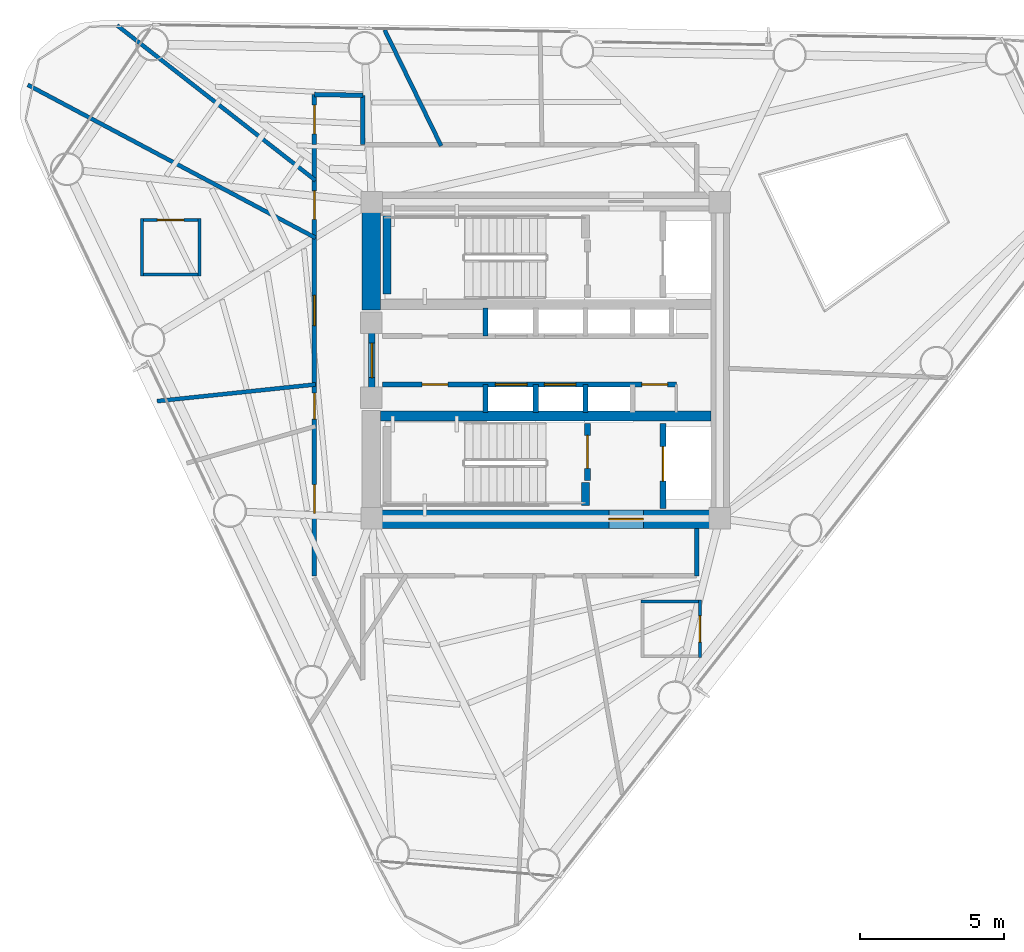
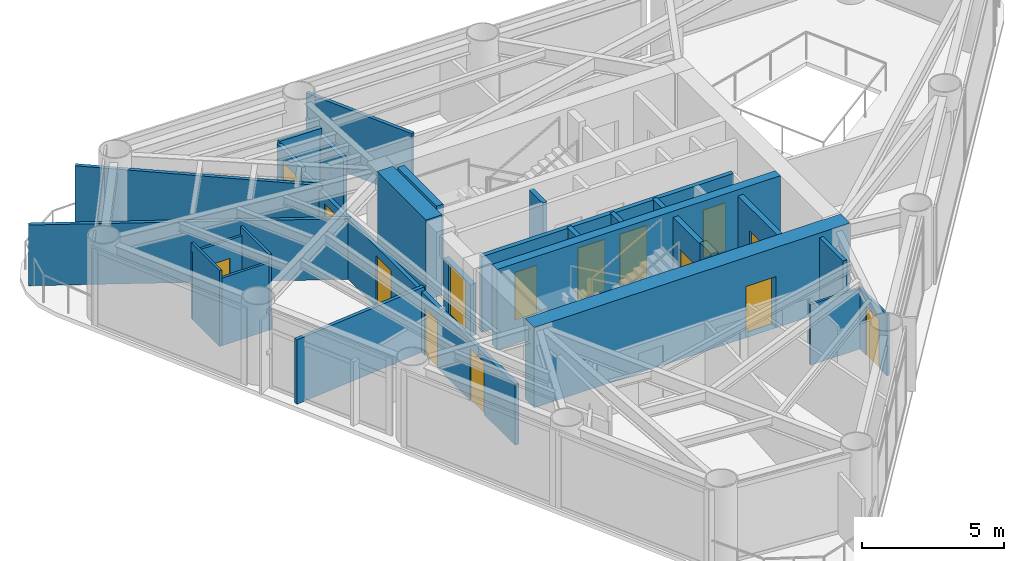
# One storey, part 5 of 9: 28 walls, 15 doors, 15 openings.
"""IFC4 building model written with IfcOpenShell, lengths in metres."""

from ifc_helpers import new_model, si_unit, direction, frame, frame_2d, origin, place, context, subcontext, project, spatial, rectangle, extrude, material, layer, layer_set, type_object, element, fill, save


model = new_model("IFC4")

# Units and contexts
model_context = context("Model", 3, precision=1e-05, world=origin(), true_north=direction((0.0, 1.0)))
body_context = subcontext(model_context, "Body", "Model", "MODEL_VIEW")
ifc_project = project(units=[si_unit("LENGTHUNIT", "METRE"), si_unit("AREAUNIT", "SQUARE_METRE"), si_unit("VOLUMEUNIT", "CUBIC_METRE"), si_unit("PLANEANGLEUNIT", "RADIAN"), si_unit("MASSUNIT", "GRAM", prefix="KILO")], contexts=[model_context])

# Site, building, storey
site_placement = place(None, origin())
site = spatial("IfcSite", under=ifc_project, at=site_placement, CompositionType="ELEMENT")
building_placement = place(site_placement, origin())
building = spatial("IfcBuilding", under=site, at=building_placement, Name="Yunling Apex Tower", CompositionType="ELEMENT")
storey_placement = place(building_placement, frame((0.0, 0.0, 194.89990234375)))
storey = spatial("IfcBuildingStorey", under=building, at=storey_placement, Name="L47", CompositionType="ELEMENT", Elevation=194.89990234375)

# Wall, opening, door
ifc_material_1 = material(Name="Concrete C50", Category="concrete")
ifc_layer_1 = layer(ifc_material_1, 0.64990234375)
ifc_layer_set_1 = layer_set([ifc_layer_1], Name="Concrete C50")
wall_type_1 = type_object("IfcWallType", Name="WL-COR-2", PredefinedType="SHEAR", material=ifc_layer_set_1)
wall_1_placement = place(storey_placement, frame((-6.39990234375, -5.52490234375, 0.0), z_axis=(0.0, 0.0, 1.0), x_axis=(1.0, 0.0, 0.0)))
wall_1 = element("IfcWall", 1, at=wall_1_placement, inside=storey, type_object=wall_type_1, Name="L47 South Core Shear Wall", PredefinedType="SHEAR", context=body_context, shape_type="SweptSolid", body=[
    extrude(rectangle(XDim=12.7998046875, YDim=0.64990234375, at=frame_2d((6.39990234375, 0.0))), origin(), (0.0, 0.0, 1.0), 3.4501953125),
])
opening_1_placement = place(wall_1_placement, frame((8.60009765625, 0.0, 0.0)))
opening_1 = element("IfcOpeningElement", 2, at=opening_1_placement, cuts=wall_1, Name="Opening DR-FFL-1", PredefinedType="OPENING", context=body_context, shape_type="SweptSolid", body=[
    extrude(rectangle(XDim=1.199951171875, YDim=2.199951171875, at=frame_2d((0.60009765625, 1.10009765625))), frame((0.0, 0.3349609375, 0.0), z_axis=(0.0, -1.0, 0.0), x_axis=(1.0, 0.0, 0.0)), (0.0, 0.0, 1.0), 0.669921875),
])
ifc_material_2 = material(Name="Steel Q355B", Category="steel")
door_type_1 = type_object("IfcDoorType", Name="DR-FFL-1", OperationType="NOTDEFINED", PredefinedType="DOOR", material=ifc_material_2)
door_1_placement = place(opening_1_placement, origin())
door_1 = element("IfcDoor", 3, at=door_1_placement, inside=storey, type_object=door_type_1, Name="L47 South Firefighting Lobby Door", OperationType="SINGLE_SWING_RIGHT", OverallHeight=2.199951171875, OverallWidth=1.199951171875, PredefinedType="DOOR", context=body_context, shape_type="SweptSolid", body=[
    extrude(rectangle(XDim=1.199951171875, YDim=2.199951171875, at=frame_2d((0.60009765625, 1.10009765625))), frame((0.0, 0.02490234375, 0.0), z_axis=(0.0, -1.0, 0.0), x_axis=(1.0, 0.0, 0.0)), (0.0, 0.0, 1.0), 0.050048828125),
])
fill(opening_1, door_1)

# Walls
wall_2_placement = place(storey_placement, frame((-6.074951171875, 1.75, 0.0), z_axis=(0.0, 0.0, 1.0), x_axis=(0.0, 1.0, 0.0)))
element("IfcWall", 4, at=wall_2_placement, inside=storey, type_object=wall_type_1, Name="L47 West-North Core Shear Wall", PredefinedType="SHEAR", context=body_context, shape_type="SweptSolid", body=[
    extrude(rectangle(XDim=3.449951171875, YDim=0.64990234375, at=frame_2d((1.72509765625, 0.0))), origin(), (0.0, 0.0, 1.0), 3.4501953125),
])
ifc_material_3 = material(Name="Concrete C40", Category="concrete")
ifc_layer_2 = layer(ifc_material_3, 0.360107421875)
ifc_layer_set_2 = layer_set([ifc_layer_2], Name="Concrete C40")
wall_type_2 = type_object("IfcWallType", Name="WL-COR-4", PredefinedType="SHEAR", material=ifc_layer_set_2)
wall_3_placement = place(storey_placement, frame((-5.75, -1.93994140625, 0.0), z_axis=(0.0, 0.0, 1.0), x_axis=(1.0, 0.0, 0.0)))
element("IfcWall", 5, at=wall_3_placement, inside=storey, type_object=wall_type_2, Name="L47 South Internal Core Shear Wall", PredefinedType="SHEAR", context=body_context, shape_type="SweptSolid", body=[
    extrude(rectangle(XDim=11.5, YDim=0.360107421875, at=frame_2d((5.75, 0.0))), origin(), (0.0, 0.0, 1.0), 3.4501953125),
])
ifc_layer_3 = layer(ifc_material_3, 0.280029296875)
ifc_layer_set_3 = layer_set([ifc_layer_3], Name="Concrete C40")
wall_type_3 = type_object("IfcWallType", Name="WL-COR-8", PredefinedType="SHEAR", material=ifc_layer_set_3)
wall_4_placement = place(storey_placement, frame((-5.52001953125, 2.300048828125, 0.0), z_axis=(0.0, 0.0, 1.0), x_axis=(0.0, 1.0, 0.0)))
element("IfcWall", 6, at=wall_4_placement, inside=storey, type_object=wall_type_3, Name="L47 ST-1 West Landing Bearing Wall", PredefinedType="SHEAR", context=body_context, shape_type="SweptSolid", body=[
    extrude(rectangle(XDim=2.75, YDim=0.280029296875, at=frame_2d((1.375, 0.0))), origin(), (0.0, 0.0, 1.0), 3.4501953125),
])
wall_5_placement = place(storey_placement, frame((1.3798828125, -5.050048828125, 0.0), z_axis=(0.0, 0.0, 1.0), x_axis=(0.0, 1.0, 0.0)))
element("IfcWall", 7, at=wall_5_placement, inside=storey, type_object=wall_type_3, Name="L47 ST-2 East Landing Bearing Pier", PredefinedType="SHEAR", context=body_context, shape_type="SweptSolid", body=[
    extrude(rectangle(XDim=0.800048828125, YDim=0.280029296875, at=frame_2d((0.39990234375, 0.0))), origin(), (0.0, 0.0, 1.0), 3.4501953125),
])

# Wall, openings, doors
ifc_material_4 = material(Name="Gypsum board acoustic partition")
ifc_layer_4 = layer(ifc_material_4, 0.159912109375)
ifc_layer_set_4 = layer_set([ifc_layer_4], Name="Gypsum board acoustic partition")
wall_type_4 = type_object("IfcWallType", Name="WL-PRT-1", PredefinedType="PARTITIONING", material=ifc_layer_set_4)
wall_6_placement = place(storey_placement, frame((-8.050048828125, -7.5, 0.0), z_axis=(0.0, 0.0, 1.0), x_axis=(0.0, 1.0, 0.0)))
wall_6 = element("IfcWall", 8, at=wall_6_placement, inside=storey, type_object=wall_type_4, Name="WL-CORR-L47-02", PredefinedType="PARTITIONING", context=body_context, shape_type="SweptSolid", body=[
    extrude(rectangle(XDim=15.0, YDim=0.159912109375, at=frame_2d((7.5, 0.0))), origin(), (0.0, 0.0, 1.0), 2.60498046875),
])
opening_2_placement = place(wall_6_placement, frame((2.1767578125, 0.0, 0.0)))
opening_2 = element("IfcOpeningElement", 9, at=opening_2_placement, cuts=wall_6, Name="Opening DR-OFF-1", PredefinedType="OPENING", context=body_context, shape_type="SweptSolid", body=[
    extrude(rectangle(XDim=1.0, YDim=2.25, at=frame_2d((0.5, 1.125))), frame((0.0, 0.08984375, 0.0), z_axis=(0.0, -1.0, 0.0), x_axis=(1.0, 0.0, 0.0)), (0.0, 0.0, 1.0), 0.179931640625),
])
opening_3_placement = place(wall_6_placement, frame((5.453369140625, 0.0, 0.0)))
opening_3 = element("IfcOpeningElement", 10, at=opening_3_placement, cuts=wall_6, Name="Opening DR-SHF-1", PredefinedType="OPENING", context=body_context, shape_type="SweptSolid", body=[
    extrude(rectangle(XDim=0.89990234375, YDim=2.050048828125, at=frame_2d((0.449951171875, 1.02490234375))), frame((0.0, 0.08984375, 0.0), z_axis=(0.0, -1.0, 0.0), x_axis=(1.0, 0.0, 0.0)), (0.0, 0.0, 1.0), 0.179931640625),
])
opening_4_placement = place(wall_6_placement, frame((8.707275390625, 0.0, 0.0)))
opening_4 = element("IfcOpeningElement", 11, at=opening_4_placement, cuts=wall_6, Name="Opening DR-FL-1", PredefinedType="OPENING", context=body_context, shape_type="SweptSolid", body=[
    extrude(rectangle(XDim=1.050048828125, YDim=2.199951171875, at=frame_2d((0.52490234375, 1.10009765625))), frame((0.0, 0.08984375, 0.0), z_axis=(0.0, -1.0, 0.0), x_axis=(1.0, 0.0, 0.0)), (0.0, 0.0, 1.0), 0.179931640625),
])
opening_5_placement = place(wall_6_placement, frame((12.397216796875, 0.0, 0.0)))
opening_5 = element("IfcOpeningElement", 12, at=opening_5_placement, cuts=wall_6, Name="Opening DR-OFF-1", PredefinedType="OPENING", context=body_context, shape_type="SweptSolid", body=[
    extrude(rectangle(XDim=1.0, YDim=2.25, at=frame_2d((0.5, 1.125))), frame((0.0, 0.08984375, 0.0), z_axis=(0.0, -1.0, 0.0), x_axis=(1.0, 0.0, 0.0)), (0.0, 0.0, 1.0), 0.179931640625),
])
ifc_material_5 = material(Name="Timber fire-rated leaf", Category="wood")
door_type_2 = type_object("IfcDoorType", Name="DR-FL-1", OperationType="NOTDEFINED", PredefinedType="DOOR", material=ifc_material_5)
door_2_placement = place(opening_4_placement, origin())
door_2 = element("IfcDoor", 13, at=door_2_placement, inside=storey, type_object=door_type_2, Name="L47 Hotel Suite Door", OperationType="SINGLE_SWING_RIGHT", OverallHeight=2.199951171875, OverallWidth=1.050048828125, PredefinedType="DOOR", context=body_context, shape_type="SweptSolid", body=[
    extrude(rectangle(XDim=1.050048828125, YDim=2.199951171875, at=frame_2d((0.52490234375, 1.10009765625))), frame((0.0, 0.02490234375, 0.0), z_axis=(0.0, -1.0, 0.0), x_axis=(1.0, 0.0, 0.0)), (0.0, 0.0, 1.0), 0.050048828125),
])
fill(opening_4, door_2)
ifc_material_6 = material(Name="Bronze anodised aluminium", Category="aluminium")
door_type_3 = type_object("IfcDoorType", Name="DR-OFF-1", OperationType="NOTDEFINED", PredefinedType="DOOR", material=ifc_material_6)
door_3_placement = place(opening_2_placement, origin())
door_3 = element("IfcDoor", 14, at=door_3_placement, inside=storey, type_object=door_type_3, Name="L47 Sky Reading Lounge Door", OperationType="SINGLE_SWING_RIGHT", OverallHeight=2.25, OverallWidth=1.0, PredefinedType="DOOR", context=body_context, shape_type="SweptSolid", body=[
    extrude(rectangle(XDim=1.0, YDim=2.25, at=frame_2d((0.5, 1.125))), frame((0.0, 0.02490234375, 0.0), z_axis=(0.0, -1.0, 0.0), x_axis=(1.0, 0.0, 0.0)), (0.0, 0.0, 1.0), 0.050048828125),
])
fill(opening_2, door_3)
door_4_placement = place(opening_5_placement, origin())
door_4 = element("IfcDoor", 15, at=door_4_placement, inside=storey, type_object=door_type_3, Name="L47 Club Lounge Door", OperationType="SINGLE_SWING_LEFT", OverallHeight=2.25, OverallWidth=1.0, PredefinedType="DOOR", context=body_context, shape_type="SweptSolid", body=[
    extrude(rectangle(XDim=1.0, YDim=2.25, at=frame_2d((0.5, 1.125))), frame((0.0, 0.02490234375, 0.0), z_axis=(0.0, -1.0, 0.0), x_axis=(1.0, 0.0, 0.0)), (0.0, 0.0, 1.0), 0.050048828125),
])
fill(opening_5, door_4)
door_type_4 = type_object("IfcDoorType", Name="DR-SHF-1", OperationType="NOTDEFINED", PredefinedType="DOOR", material=ifc_material_2)
door_5_placement = place(opening_3_placement, origin())
door_5 = element("IfcDoor", 16, at=door_5_placement, inside=storey, type_object=door_type_4, Name="L47 Housekeeping Room Door", OperationType="SINGLE_SWING_LEFT", OverallHeight=2.050048828125, OverallWidth=0.89990234375, PredefinedType="DOOR", context=body_context, shape_type="SweptSolid", body=[
    extrude(rectangle(XDim=0.89990234375, YDim=2.050048828125, at=frame_2d((0.449951171875, 1.02490234375))), frame((0.0, 0.02490234375, 0.0), z_axis=(0.0, -1.0, 0.0), x_axis=(1.0, 0.0, 0.0)), (0.0, 0.0, 1.0), 0.050048828125),
])
fill(opening_3, door_5)

# Wall, opening, door
wall_7_placement = place(storey_placement, frame((-8.050048828125, 7.5, 0.0), z_axis=(0.0, 0.0, 1.0), x_axis=(0.0, 1.0, 0.0)))
wall_7 = element("IfcWall", 17, at=wall_7_placement, inside=storey, type_object=wall_type_4, Name="WL-CORR-L47-03", PredefinedType="PARTITIONING", context=body_context, shape_type="SweptSolid", body=[
    extrude(rectangle(XDim=1.74462890625, YDim=0.159912109375, at=frame_2d((0.872314453125, 0.0))), origin(), (0.0, 0.0, 1.0), 2.80517578125),
])
opening_6_placement = place(wall_7_placement, frame((0.372314453125, 0.0, 0.0)))
opening_6 = element("IfcOpeningElement", 18, at=opening_6_placement, cuts=wall_7, Name="Opening DR-OFF-1", PredefinedType="OPENING", context=body_context, shape_type="SweptSolid", body=[
    extrude(rectangle(XDim=1.0, YDim=2.25, at=frame_2d((0.5, 1.125))), frame((0.0, 0.08984375, 0.0), z_axis=(0.0, -1.0, 0.0), x_axis=(1.0, 0.0, 0.0)), (0.0, 0.0, 1.0), 0.179931640625),
])
door_6_placement = place(opening_6_placement, origin())
door_6 = element("IfcDoor", 19, at=door_6_placement, inside=storey, type_object=door_type_3, Name="L47 Club Lounge Door", OperationType="SINGLE_SWING_RIGHT", OverallHeight=2.25, OverallWidth=1.0, PredefinedType="DOOR", context=body_context, shape_type="SweptSolid", body=[
    extrude(rectangle(XDim=1.0, YDim=2.25, at=frame_2d((0.5, 1.125))), frame((0.0, 0.02490234375, 0.0), z_axis=(0.0, -1.0, 0.0), x_axis=(1.0, 0.0, 0.0)), (0.0, 0.0, 1.0), 0.050048828125),
])
fill(opening_6, door_6)

# Walls
wall_8_placement = place(storey_placement, frame((-8.050048828125, 9.24462890625, 0.0), z_axis=(0.0, 0.0, 1.0), x_axis=(0.999859611566, -0.016755809729, 0.0)))
element("IfcWall", 20, at=wall_8_placement, inside=storey, type_object=wall_type_4, Name="WL-CORR-L47-04", PredefinedType="PARTITIONING", context=body_context, shape_type="SweptSolid", body=[
    extrude(rectangle(XDim=1.690185546875, YDim=0.159912109375, at=frame_2d((0.84521484375, 0.0))), origin(), (0.0, 0.0, 1.0), 2.905029296875),
])
wall_9_placement = place(storey_placement, frame((-6.360107421875, 9.21630859375, 0.0), z_axis=(0.0, 0.0, 1.0), x_axis=(0.0, -1.0, 0.0)))
element("IfcWall", 21, at=wall_9_placement, inside=storey, type_object=wall_type_4, Name="WL-CORR-L47-05", PredefinedType="PARTITIONING", context=body_context, shape_type="SweptSolid", body=[
    extrude(rectangle(XDim=1.71630859375, YDim=0.159912109375, at=frame_2d((0.858154296875, 0.0))), origin(), (0.0, 0.0, 1.0), 2.60498046875),
])
wall_10_placement = place(storey_placement, frame((5.25, -5.85009765625, 0.0), z_axis=(0.0, 0.0, 1.0), x_axis=(0.0, -1.0, 0.0)))
element("IfcWall", 22, at=wall_10_placement, inside=storey, type_object=wall_type_4, Name="WL-CORR-L47-08", PredefinedType="PARTITIONING", context=body_context, shape_type="SweptSolid", body=[
    extrude(rectangle(XDim=1.64990234375, YDim=0.159912109375, at=frame_2d((0.824951171875, 0.0))), origin(), (0.0, 0.0, 1.0), 3.25),
])
ifc_layer_5 = layer(ifc_material_4, 0.139892578125)
ifc_layer_set_5 = layer_set([ifc_layer_5], Name="Gypsum board acoustic partition")
wall_type_5 = type_object("IfcWallType", Name="WL-PRT-2", PredefinedType="PARTITIONING", material=ifc_layer_set_5)
wall_11_placement = place(storey_placement, frame((-3.638427734375, 7.4599609375, 0.0), z_axis=(0.0, 0.0, 1.0), x_axis=(-0.438379691007, 0.898789878956, 0.0)))
element("IfcWall", 23, at=wall_11_placement, inside=storey, type_object=wall_type_5, Name="WL-RAD-L47-03", PredefinedType="PARTITIONING", context=body_context, shape_type="SweptSolid", body=[
    extrude(rectangle(XDim=4.48828125, YDim=0.139892578125, at=frame_2d((2.244140625, 0.0))), origin(), (0.0, 0.0, 1.0), 2.76513671875),
])
wall_12_placement = place(storey_placement, frame((-8.010009765625, 6.258056640625, 0.0), z_axis=(0.0, 0.0, 1.0), x_axis=(-0.788015921071, 0.615654861216, 0.0)))
element("IfcWall", 24, at=wall_12_placement, inside=storey, type_object=wall_type_5, Name="WL-RAD-L47-04", PredefinedType="PARTITIONING", context=body_context, shape_type="SweptSolid", body=[
    extrude(rectangle(XDim=8.7578125, YDim=0.139892578125, at=frame_2d((4.37890625, 0.0))), origin(), (0.0, 0.0, 1.0), 2.80517578125),
])
wall_13_placement = place(storey_placement, frame((-8.010009765625, 4.259033203125, 0.0), z_axis=(0.0, 0.0, 1.0), x_axis=(-0.882949150857, 0.469468632606, 0.0)))
element("IfcWall", 25, at=wall_13_placement, inside=storey, type_object=wall_type_5, Name="WL-RAD-L47-05", PredefinedType="PARTITIONING", context=body_context, shape_type="SweptSolid", body=[
    extrude(rectangle(XDim=11.333251953125, YDim=0.139892578125, at=frame_2d((5.66650390625, 0.0))), origin(), (0.0, 0.0, 1.0), 2.60498046875),
])
wall_14_placement = place(storey_placement, frame((-8.010009765625, -0.841796875, 0.0), z_axis=(0.0, 0.0, 1.0), x_axis=(-0.994518006468, -0.104565457063, 0.0)))
element("IfcWall", 26, at=wall_14_placement, inside=storey, type_object=wall_type_5, Name="WL-RAD-L47-06", PredefinedType="PARTITIONING", context=body_context, shape_type="SweptSolid", body=[
    extrude(rectangle(XDim=5.5380859375, YDim=0.139892578125, at=frame_2d((2.76904296875, 0.0))), origin(), (0.0, 0.0, 1.0), 2.76513671875),
])
ifc_layer_6 = layer(ifc_material_4, 0.10009765625)
ifc_layer_set_6 = layer_set([ifc_layer_6], Name="Gypsum board acoustic partition")
wall_type_6 = type_object("IfcWallType", Name="WL-PRT-4", PredefinedType="PARTITIONING", material=ifc_layer_set_6)
wall_15_placement = place(storey_placement, frame((3.31005859375, -8.39697265625, 0.0), z_axis=(0.0, 0.0, 1.0), x_axis=(1.0, 0.0, 0.0)))
element("IfcWall", 27, at=wall_15_placement, inside=storey, type_object=wall_type_6, Name="WL-ENS-L47-5N", PredefinedType="PARTITIONING", context=body_context, shape_type="SweptSolid", body=[
    extrude(rectangle(XDim=2.099853515625, YDim=0.10009765625, at=frame_2d((1.0498046875, 0.0))), origin(), (0.0, 0.0, 1.0), 2.60498046875),
])

# Wall, opening, door
wall_16_placement = place(storey_placement, frame((5.360107421875, -8.346923828125, 0.0), z_axis=(0.0, 0.0, 1.0), x_axis=(0.0, -1.0, 0.0)))
wall_16 = element("IfcWall", 28, at=wall_16_placement, inside=storey, type_object=wall_type_6, Name="WL-ENS-L47-5E", PredefinedType="PARTITIONING", context=body_context, shape_type="SweptSolid", body=[
    extrude(rectangle(XDim=2.0, YDim=0.10009765625, at=frame_2d((1.0, 0.0))), origin(), (0.0, 0.0, 1.0), 2.60498046875),
])
opening_7_placement = place(wall_16_placement, frame((0.5400390625, 0.0, 0.0)))
opening_7 = element("IfcOpeningElement", 29, at=opening_7_placement, cuts=wall_16, Name="Opening DR-WC-1", PredefinedType="OPENING", context=body_context, shape_type="SweptSolid", body=[
    extrude(rectangle(XDim=0.919921875, YDim=2.10009765625, at=frame_2d((0.4599609375, 1.050048828125))), frame((0.0, 0.06005859375, 0.0), z_axis=(0.0, -1.0, 0.0), x_axis=(1.0, 0.0, 0.0)), (0.0, 0.0, 1.0), 0.1201171875),
])
ifc_material_7 = material(Name="Timber moisture-resistant leaf", Category="wood")
door_type_5 = type_object("IfcDoorType", Name="DR-WC-1", OperationType="NOTDEFINED", PredefinedType="DOOR", material=ifc_material_7)
door_7_placement = place(opening_7_placement, origin())
door_7 = element("IfcDoor", 30, at=door_7_placement, inside=storey, type_object=door_type_5, Name="L47 En-Suite Door", OperationType="SINGLE_SWING_RIGHT", OverallHeight=2.10009765625, OverallWidth=0.919921875, PredefinedType="DOOR", context=body_context, shape_type="SweptSolid", body=[
    extrude(rectangle(XDim=0.919921875, YDim=2.10009765625, at=frame_2d((0.4599609375, 1.050048828125))), frame((0.0, 0.02490234375, 0.0), z_axis=(0.0, -1.0, 0.0), x_axis=(1.0, 0.0, 0.0)), (0.0, 0.0, 1.0), 0.050048828125),
])
fill(opening_7, door_7)

wall_17_placement = place(storey_placement, frame((-14.095947265625, 4.87890625, 0.0), z_axis=(0.0, 0.0, 1.0), x_axis=(1.0, 0.0, 0.0)))
wall_17 = element("IfcWall", 31, at=wall_17_placement, inside=storey, type_object=wall_type_6, Name="WL-ENS-L47-10N", PredefinedType="PARTITIONING", context=body_context, shape_type="SweptSolid", body=[
    extrude(rectangle(XDim=2.099853515625, YDim=0.10009765625, at=frame_2d((1.0498046875, 0.0))), origin(), (0.0, 0.0, 1.0), 2.905029296875),
])
opening_8_placement = place(wall_17_placement, frame((0.590087890625, 0.0, 0.0)))
opening_8 = element("IfcOpeningElement", 32, at=opening_8_placement, cuts=wall_17, Name="Opening DR-WC-1", PredefinedType="OPENING", context=body_context, shape_type="SweptSolid", body=[
    extrude(rectangle(XDim=0.919921875, YDim=2.10009765625, at=frame_2d((0.4599609375, 1.050048828125))), frame((0.0, 0.06005859375, 0.0), z_axis=(0.0, -1.0, 0.0), x_axis=(1.0, 0.0, 0.0)), (0.0, 0.0, 1.0), 0.1201171875),
])
door_8_placement = place(opening_8_placement, origin())
door_8 = element("IfcDoor", 33, at=door_8_placement, inside=storey, type_object=door_type_5, Name="L47 En-Suite Door", OperationType="SINGLE_SWING_LEFT", OverallHeight=2.10009765625, OverallWidth=0.919921875, PredefinedType="DOOR", context=body_context, shape_type="SweptSolid", body=[
    extrude(rectangle(XDim=0.919921875, YDim=2.10009765625, at=frame_2d((0.4599609375, 1.050048828125))), frame((0.0, 0.02490234375, 0.0), z_axis=(0.0, -1.0, 0.0), x_axis=(1.0, 0.0, 0.0)), (0.0, 0.0, 1.0), 0.050048828125),
])
fill(opening_8, door_8)

# Walls
wall_18_placement = place(storey_placement, frame((-11.99609375, 2.97900390625, 0.0), z_axis=(0.0, 0.0, 1.0), x_axis=(-1.0, 0.0, 0.0)))
element("IfcWall", 34, at=wall_18_placement, inside=storey, type_object=wall_type_6, Name="WL-ENS-L47-10S", PredefinedType="PARTITIONING", context=body_context, shape_type="SweptSolid", body=[
    extrude(rectangle(XDim=2.099853515625, YDim=0.10009765625, at=frame_2d((1.0498046875, 0.0))), origin(), (0.0, 0.0, 1.0), 2.905029296875),
])
for number, where, z_axis, x_axis, name in (
    (35, (-12.0458984375, 4.928955078125, 0.0), (0.0, 0.0, 1.0), (0.0, -1.0, 0.0), "WL-ENS-L47-10E"),
    (36, (-14.0458984375, 2.928955078125, 0.0), (0.0, 0.0, 1.0), (0.0, 1.0, 0.0), "WL-ENS-L47-10W"),
):
    element("IfcWall", number, at=place(storey_placement, frame(where, z_axis=z_axis, x_axis=x_axis)), inside=storey, type_object=wall_type_6, Name=name, PredefinedType="PARTITIONING", context=body_context, shape_type="SweptSolid", body=[
        extrude(rectangle(XDim=2.0, YDim=0.10009765625, at=frame_2d((1.0, 0.0))), origin(), (0.0, 0.0, 1.0), 3.25),
    ])

# Wall, opening, door
ifc_material_8 = material(Name="Autoclaved aerated concrete masonry", Category="masonry")
ifc_layer_7 = layer(ifc_material_8, 0.219970703125)
ifc_layer_set_7 = layer_set([ifc_layer_7], Name="Autoclaved aerated concrete masonry")
wall_type_7 = type_object("IfcWallType", Name="WL-SHF-1", PredefinedType="PLUMBINGWALL", material=ifc_layer_set_7)
wall_19_placement = place(storey_placement, frame((-6.050048828125, -0.949951171875, 0.0), z_axis=(0.0, 0.0, 1.0), x_axis=(0.0, 1.0, 0.0)))
wall_19 = element("IfcWall", 37, at=wall_19_placement, inside=storey, type_object=wall_type_7, Name="WL-COR-WPORT-L47", PredefinedType="PLUMBINGWALL", context=body_context, shape_type="SweptSolid", body=[
    extrude(rectangle(XDim=1.89990234375, YDim=0.219970703125, at=frame_2d((0.949951171875, 0.0))), origin(), (0.0, 0.0, 1.0), 2.22998046875),
])
opening_9_placement = place(wall_19_placement, frame((0.35009765625, 0.0, 0.0)))
opening_9 = element("IfcOpeningElement", 38, at=opening_9_placement, cuts=wall_19, Name="Opening DR-FFL-1", PredefinedType="OPENING", context=body_context, shape_type="SweptSolid", body=[
    extrude(rectangle(XDim=1.199951171875, YDim=2.199951171875, at=frame_2d((0.60009765625, 1.10009765625))), frame((0.0, 0.1201171875, 0.0), z_axis=(0.0, -1.0, 0.0), x_axis=(1.0, 0.0, 0.0)), (0.0, 0.0, 1.0), 0.239990234375),
])
door_9_placement = place(opening_9_placement, origin())
door_9 = element("IfcDoor", 39, at=door_9_placement, inside=storey, type_object=door_type_1, Name="L47 Passenger Lift Lobby Entrance Door", OperationType="SINGLE_SWING_RIGHT", OverallHeight=2.199951171875, OverallWidth=1.199951171875, PredefinedType="DOOR", context=body_context, shape_type="SweptSolid", body=[
    extrude(rectangle(XDim=1.199951171875, YDim=2.199951171875, at=frame_2d((0.60009765625, 1.10009765625))), frame((0.0, 0.02490234375, 0.0), z_axis=(0.0, -1.0, 0.0), x_axis=(1.0, 0.0, 0.0)), (0.0, 0.0, 1.0), 0.050048828125),
])
fill(opening_9, door_9)

wall_20_placement = place(storey_placement, frame((1.449951171875, -4.179931640625, 0.0), z_axis=(0.0, 0.0, 1.0), x_axis=(0.0, 1.0, 0.0)))
wall_20 = element("IfcWall", 40, at=wall_20_placement, inside=storey, type_object=wall_type_7, Name="WL-ST2-E-L47", PredefinedType="PLUMBINGWALL", context=body_context, shape_type="SweptSolid", body=[
    extrude(rectangle(XDim=1.97998046875, YDim=0.219970703125, at=frame_2d((0.989990234375, 0.0))), origin(), (0.0, 0.0, 1.0), 3.25),
])
opening_10_placement = place(wall_20_placement, frame((0.419921875, 0.0, 0.0)))
opening_10 = element("IfcOpeningElement", 41, at=opening_10_placement, cuts=wall_20, Name="Opening DR-ST-1", PredefinedType="OPENING", context=body_context, shape_type="SweptSolid", body=[
    extrude(rectangle(XDim=1.14990234375, YDim=2.14990234375, at=frame_2d((0.574951171875, 1.074951171875))), frame((0.0, 0.1201171875, 0.0), z_axis=(0.0, -1.0, 0.0), x_axis=(1.0, 0.0, 0.0)), (0.0, 0.0, 1.0), 0.239990234375),
])
door_type_6 = type_object("IfcDoorType", Name="DR-ST-1", OperationType="NOTDEFINED", PredefinedType="DOOR", material=ifc_material_2)
door_10_placement = place(opening_10_placement, origin())
door_10 = element("IfcDoor", 42, at=door_10_placement, inside=storey, type_object=door_type_6, Name="L47 Stair ST-2 Fire Door", OperationType="SINGLE_SWING_RIGHT", OverallHeight=2.14990234375, OverallWidth=1.14990234375, PredefinedType="DOOR", context=body_context, shape_type="SweptSolid", body=[
    extrude(rectangle(XDim=1.14990234375, YDim=2.14990234375, at=frame_2d((0.574951171875, 1.074951171875))), frame((0.0, 0.02490234375, 0.0), z_axis=(0.0, -1.0, 0.0), x_axis=(1.0, 0.0, 0.0)), (0.0, 0.0, 1.0), 0.050048828125),
])
fill(opening_10, door_10)

wall_21_placement = place(storey_placement, frame((4.080078125, -5.14990234375, 0.0), z_axis=(0.0, 0.0, 1.0), x_axis=(0.0, 1.0, 0.0)))
wall_21 = element("IfcWall", 43, at=wall_21_placement, inside=storey, type_object=wall_type_7, Name="WL-FFL2-W-L47", PredefinedType="PLUMBINGWALL", context=body_context, shape_type="SweptSolid", body=[
    extrude(rectangle(XDim=2.949951171875, YDim=0.219970703125, at=frame_2d((1.47509765625, 0.0))), origin(), (0.0, 0.0, 1.0), 3.25),
])
opening_11_placement = place(wall_21_placement, frame((0.949951171875, 0.0, 0.0)))
opening_11 = element("IfcOpeningElement", 44, at=opening_11_placement, cuts=wall_21, Name="Opening LD-FFL-1", PredefinedType="OPENING", context=body_context, shape_type="SweptSolid", body=[
    extrude(rectangle(XDim=1.199951171875, YDim=2.25, at=frame_2d((0.60009765625, 1.125))), frame((0.0, 0.1201171875, 0.0), z_axis=(0.0, -1.0, 0.0), x_axis=(1.0, 0.0, 0.0)), (0.0, 0.0, 1.0), 0.239990234375),
])
door_type_7 = type_object("IfcDoorType", Name="LD-FFL-1", OperationType="DOUBLE_DOOR_SLIDING", PredefinedType="DOOR", material=ifc_material_2)
door_11_placement = place(opening_11_placement, origin())
door_11 = element("IfcDoor", 45, at=door_11_placement, inside=storey, type_object=door_type_7, Name="L47 Lift FFL-2 Landing Door", OperationType="DOUBLE_DOOR_SLIDING", OverallHeight=2.25, OverallWidth=1.199951171875, PredefinedType="DOOR", context=body_context, shape_type="SweptSolid", body=[
    extrude(rectangle(XDim=1.199951171875, YDim=2.25, at=frame_2d((0.60009765625, 1.125))), frame((0.0, 0.02490234375, 0.0), z_axis=(0.0, -1.0, 0.0), x_axis=(1.0, 0.0, 0.0)), (0.0, 0.0, 1.0), 0.050048828125),
])
fill(opening_11, door_11)

# Walls
ifc_layer_8 = layer(ifc_material_8, 0.179931640625)
ifc_layer_set_8 = layer_set([ifc_layer_8], Name="Autoclaved aerated concrete masonry")
wall_type_8 = type_object("IfcWallType", Name="WL-SHF-2", PredefinedType="PLUMBINGWALL", material=ifc_layer_set_8)
for number, where, z_axis, x_axis, name in (
    (46, (-2.10009765625, 0.840087890625, 0.0), (0.0, 0.0, 1.0), (0.0, 1.0, 0.0), "WL-BNK-LM-N-L47"),
    (47, (-2.10009765625, -1.820068359375, 0.0), (0.0, 0.0, 1.0), (0.0, 1.0, 0.0), "WL-BNK-LM-S-L47"),
    (48, (-0.35009765625, -1.820068359375, 0.0), (0.0, 0.0, 1.0), (0.0, 1.0, 0.0), "WL-DIV-M34-L47"),
    (49, (1.3798828125, -1.820068359375, 0.0), (0.0, 0.0, 1.0), (0.0, 1.0, 0.0), "WL-BNK-MH-S-L47"),
):
    element("IfcWall", number, at=place(storey_placement, frame(where, z_axis=z_axis, x_axis=x_axis)), inside=storey, type_object=wall_type_8, Name=name, PredefinedType="PLUMBINGWALL", context=body_context, shape_type="SweptSolid", body=[
        extrude(rectangle(XDim=0.97998046875, YDim=0.179931640625, at=frame_2d((0.489990234375, 0.0))), origin(), (0.0, 0.0, 1.0), 3.25),
    ])

# Wall, openings, doors
wall_22_placement = place(storey_placement, frame((-5.679931640625, -0.840087890625, 0.0), z_axis=(0.0, 0.0, 1.0), x_axis=(1.0, 0.0, 0.0)))
wall_22 = element("IfcWall", 50, at=wall_22_placement, inside=storey, type_object=wall_type_8, Name="WL-LOB-S-L47", PredefinedType="PLUMBINGWALL", context=body_context, shape_type="SweptSolid", body=[
    extrude(rectangle(XDim=10.219970703125, YDim=0.179931640625, at=frame_2d((5.10986328125, 0.0))), origin(), (0.0, 0.0, 1.0), 3.25),
])
opening_12_placement = place(wall_22_placement, frame((1.3798828125, 0.0, 0.0)))
opening_12 = element("IfcOpeningElement", 51, at=opening_12_placement, cuts=wall_22, Name="Opening DR-SHF-1", PredefinedType="OPENING", context=body_context, shape_type="SweptSolid", body=[
    extrude(rectangle(XDim=0.89990234375, YDim=2.050048828125, at=frame_2d((0.449951171875, 1.02490234375))), frame((0.0, 0.10009765625, 0.0), z_axis=(0.0, -1.0, 0.0), x_axis=(1.0, 0.0, 0.0)), (0.0, 0.0, 1.0), 0.199951171875),
])
opening_13_placement = place(wall_22_placement, frame((3.929931640625, 0.0, 0.0)))
opening_13 = element("IfcOpeningElement", 52, at=opening_13_placement, cuts=wall_22, Name="Opening LD-PAS-1", PredefinedType="OPENING", context=body_context, shape_type="SweptSolid", body=[
    extrude(rectangle(XDim=1.10009765625, YDim=2.199951171875, at=frame_2d((0.550048828125, 1.10009765625))), frame((0.0, 0.10009765625, 0.0), z_axis=(0.0, -1.0, 0.0), x_axis=(1.0, 0.0, 0.0)), (0.0, 0.0, 1.0), 0.199951171875),
])
opening_14_placement = place(wall_22_placement, frame((5.6298828125, 0.0, 0.0)))
opening_14 = element("IfcOpeningElement", 53, at=opening_14_placement, cuts=wall_22, Name="Opening LD-PAS-1", PredefinedType="OPENING", context=body_context, shape_type="SweptSolid", body=[
    extrude(rectangle(XDim=1.10009765625, YDim=2.199951171875, at=frame_2d((0.550048828125, 1.10009765625))), frame((0.0, 0.10009765625, 0.0), z_axis=(0.0, -1.0, 0.0), x_axis=(1.0, 0.0, 0.0)), (0.0, 0.0, 1.0), 0.199951171875),
])
opening_15_placement = place(wall_22_placement, frame((9.02001953125, 0.0, 0.0)))
opening_15 = element("IfcOpeningElement", 54, at=opening_15_placement, cuts=wall_22, Name="Opening DR-SHF-1", PredefinedType="OPENING", context=body_context, shape_type="SweptSolid", body=[
    extrude(rectangle(XDim=0.89990234375, YDim=2.050048828125, at=frame_2d((0.449951171875, 1.02490234375))), frame((0.0, 0.10009765625, 0.0), z_axis=(0.0, -1.0, 0.0), x_axis=(1.0, 0.0, 0.0)), (0.0, 0.0, 1.0), 0.199951171875),
])
door_12_placement = place(opening_12_placement, origin())
door_12 = element("IfcDoor", 55, at=door_12_placement, inside=storey, type_object=door_type_4, Name="L47 Telecoms Room Door", OperationType="SINGLE_SWING_RIGHT", OverallHeight=2.050048828125, OverallWidth=0.89990234375, PredefinedType="DOOR", context=body_context, shape_type="SweptSolid", body=[
    extrude(rectangle(XDim=0.89990234375, YDim=2.050048828125, at=frame_2d((0.449951171875, 1.02490234375))), frame((0.0, 0.02490234375, 0.0), z_axis=(0.0, -1.0, 0.0), x_axis=(1.0, 0.0, 0.0)), (0.0, 0.0, 1.0), 0.050048828125),
])
fill(opening_12, door_12)
door_13_placement = place(opening_15_placement, origin())
door_13 = element("IfcDoor", 56, at=door_13_placement, inside=storey, type_object=door_type_4, Name="L47 Core Electrical Room Door", OperationType="SINGLE_SWING_LEFT", OverallHeight=2.050048828125, OverallWidth=0.89990234375, PredefinedType="DOOR", context=body_context, shape_type="SweptSolid", body=[
    extrude(rectangle(XDim=0.89990234375, YDim=2.050048828125, at=frame_2d((0.449951171875, 1.02490234375))), frame((0.0, 0.02490234375, 0.0), z_axis=(0.0, -1.0, 0.0), x_axis=(1.0, 0.0, 0.0)), (0.0, 0.0, 1.0), 0.050048828125),
])
fill(opening_15, door_13)
ifc_material_9 = material(Name="Silver anodised aluminium", Category="aluminium")
door_type_8 = type_object("IfcDoorType", Name="LD-PAS-1", OperationType="DOUBLE_DOOR_SLIDING", PredefinedType="DOOR", material=ifc_material_9)
door_14_placement = place(opening_13_placement, origin())
door_14 = element("IfcDoor", 57, at=door_14_placement, inside=storey, type_object=door_type_8, Name="L47 Lift PL-M3 Landing Door", OperationType="DOUBLE_DOOR_SLIDING", OverallHeight=2.199951171875, OverallWidth=1.10009765625, PredefinedType="DOOR", context=body_context, shape_type="SweptSolid", body=[
    extrude(rectangle(XDim=1.10009765625, YDim=2.199951171875, at=frame_2d((0.550048828125, 1.10009765625))), frame((0.0, 0.02490234375, 0.0), z_axis=(0.0, -1.0, 0.0), x_axis=(1.0, 0.0, 0.0)), (0.0, 0.0, 1.0), 0.050048828125),
])
fill(opening_13, door_14)
door_15_placement = place(opening_14_placement, origin())
door_15 = element("IfcDoor", 58, at=door_15_placement, inside=storey, type_object=door_type_8, Name="L47 Lift PL-M4 Landing Door", OperationType="DOUBLE_DOOR_SLIDING", OverallHeight=2.199951171875, OverallWidth=1.10009765625, PredefinedType="DOOR", context=body_context, shape_type="SweptSolid", body=[
    extrude(rectangle(XDim=1.10009765625, YDim=2.199951171875, at=frame_2d((0.550048828125, 1.10009765625))), frame((0.0, 0.02490234375, 0.0), z_axis=(0.0, -1.0, 0.0), x_axis=(1.0, 0.0, 0.0)), (0.0, 0.0, 1.0), 0.050048828125),
])
fill(opening_14, door_15)

save(model, "model.ifc")
